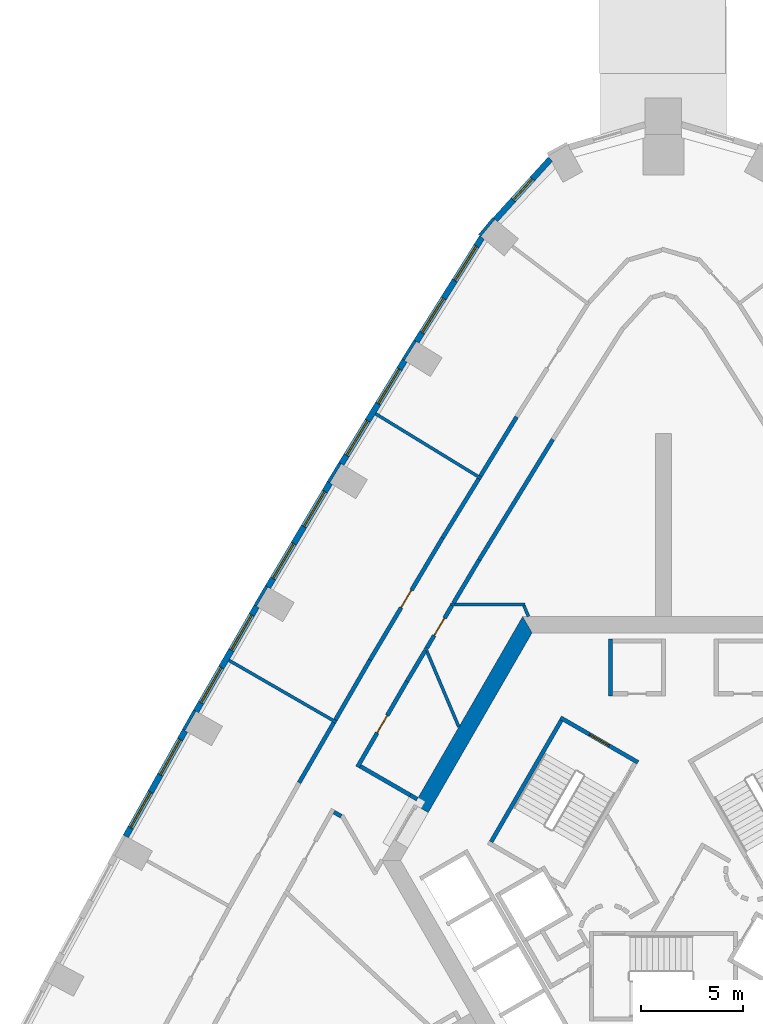
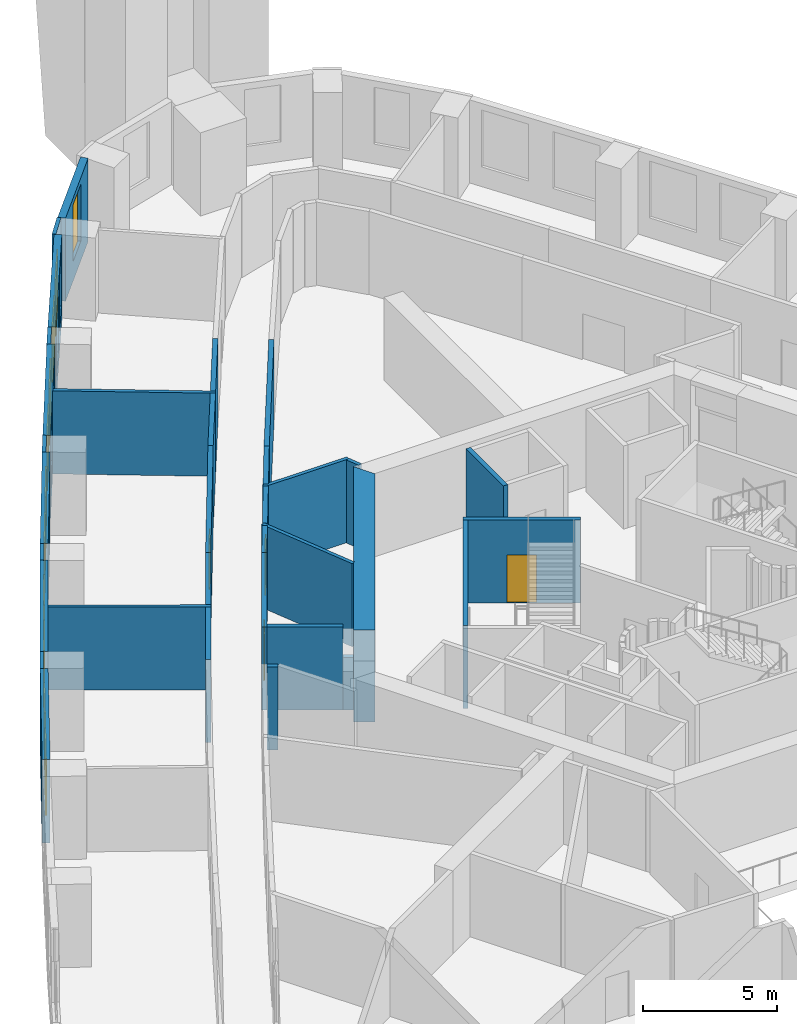
# One storey, part 8 of 14: 33 walls, 11 windows, 4 doors, 15 openings.
"""IFC4 building model written with IfcOpenShell, lengths in metres."""

from ifc_helpers import new_model, si_unit, direction, frame, frame_2d, origin, place, context, subcontext, project, spatial, polyline, rectangle, outline, extrude, material, layer, layer_set, type_object, element, fill, save


model = new_model("IFC4")

# Units and contexts
model_context = context("Model", 3, precision=1e-05, world=origin(), true_north=direction((0.0, 1.0)))
body_context = subcontext(model_context, "Body", "Model", "MODEL_VIEW")
ifc_project = project(units=[si_unit("LENGTHUNIT", "METRE"), si_unit("AREAUNIT", "SQUARE_METRE"), si_unit("VOLUMEUNIT", "CUBIC_METRE"), si_unit("PLANEANGLEUNIT", "RADIAN"), si_unit("MASSUNIT", "GRAM", prefix="KILO")], contexts=[model_context])

# Site, building, storey
site_placement = place(None, origin())
site = spatial("IfcSite", under=ifc_project, at=site_placement, CompositionType="ELEMENT")
building_placement = place(site_placement, origin())
building = spatial("IfcBuilding", under=site, at=building_placement, Name="Entoto Arch Interchange Tower", CompositionType="ELEMENT")
storey_placement = place(building_placement, frame((0.0, 0.0, 163.39990234375)))
storey = spatial("IfcBuildingStorey", under=building, at=storey_placement, Name="L36", CompositionType="ELEMENT", Elevation=163.39990234375)

# Walls
ifc_material_1 = material(Name="Concrete C50/60", Category="concrete")
ifc_layer_1 = layer(ifc_material_1, 0.800048828125)
ifc_layer_set_1 = layer_set([ifc_layer_1], Name="Concrete C50/60")
wall_type_1 = type_object("IfcWallType", Name="Core wall 800 C50/60", PredefinedType="SHEAR", material=ifc_layer_set_1)
wall_1_placement = place(storey_placement, frame((0.0, 0.0, -0.39990234375)))
element("IfcWall", 1, at=wall_1_placement, inside=storey, type_object=wall_type_1, Name="Core wall NW L36", PredefinedType="SHEAR", context=body_context, shape_type="SweptSolid", body=[
    extrude(outline(polyline([(-12.26708984375, 5.251953125), (-11.574951171875, 4.85205078125), (-6.466064453125, 13.699951171875), (-6.927978515625, 14.5), (-12.26708984375, 5.251953125)])), origin(), (0.0, 0.0, 1.0), 4.199951171875),
])
ifc_material_2 = material(Name="Gypsum board partition on steel studs", Category="steel")
ifc_layer_2 = layer(ifc_material_2, 0.14990234375)
ifc_layer_set_2 = layer_set([ifc_layer_2], Name="Gypsum board partition on steel studs")
wall_type_2 = type_object("IfcWallType", Name="PARTITION 150", PredefinedType="PARTITIONING", material=ifc_layer_set_2)
wall_2_placement = place(storey_placement, frame((-10.068115234375, 9.06201171875, 0.0), z_axis=(0.0, 0.0, 1.0), x_axis=(-0.388992587102, 0.921240884448, 0.0)))
element("IfcWall", 2, at=wall_2_placement, inside=storey, type_object=wall_type_2, Name="wall:L36:p097", PredefinedType="PARTITIONING", context=body_context, shape_type="SweptSolid", body=[
    extrude(rectangle(XDim=4.257080078125, YDim=0.14990234375, at=frame_2d((2.12841796875, 0.0))), origin(), (0.0, 0.0, 1.0), 3.800048828125),
])
wall_3_placement = place(storey_placement, frame((-6.820068359375, 15.10009765625, 0.0), z_axis=(0.0, 0.0, 1.0), x_axis=(-1.0, 0.0, 0.0)))
element("IfcWall", 3, at=wall_3_placement, inside=storey, type_object=wall_type_2, Name="wall:L36:p098", PredefinedType="PARTITIONING", context=body_context, shape_type="SweptSolid", body=[
    extrude(rectangle(XDim=3.65185546875, YDim=0.14990234375, at=frame_2d((1.825927734375, 0.0))), origin(), (0.0, 0.0, 1.0), 3.800048828125),
])
wall_4_placement = place(storey_placement, frame((-6.64111328125, 14.5, 0.0), z_axis=(0.0, 0.0, 1.0), x_axis=(-0.389930013825, 0.920844495188, 0.0)))
element("IfcWall", 4, at=wall_4_placement, inside=storey, type_object=wall_type_2, Name="wall:L36:p099", PredefinedType="PARTITIONING", context=body_context, shape_type="SweptSolid", body=[
    extrude(rectangle(XDim=0.57666015625, YDim=0.14990234375, at=frame_2d((0.288330078125, 0.0))), origin(), (0.0, 0.0, 1.0), 3.800048828125),
])
wall_5_placement = place(storey_placement, frame((-8.964111328125, 21.294921875, 0.0), z_axis=(0.0, 0.0, 1.0), x_axis=(-0.852835298101, 0.522180001832, 0.0)))
element("IfcWall", 5, at=wall_5_placement, inside=storey, type_object=wall_type_2, Name="wall:L36:p141", PredefinedType="PARTITIONING", context=body_context, shape_type="SweptSolid", body=[
    extrude(rectangle(XDim=6.099609375, YDim=0.14990234375, at=frame_2d((3.0498046875, 0.0))), origin(), (0.0, 0.0, 1.0), 3.800048828125),
])
wall_6_placement = place(storey_placement, frame((-16.097900390625, 9.294921875, 0.0), z_axis=(0.0, 0.0, 1.0), x_axis=(-0.866109615698, 0.499854112313, 0.0)))
element("IfcWall", 6, at=wall_6_placement, inside=storey, type_object=wall_type_2, Name="wall:L36:p142", PredefinedType="PARTITIONING", context=body_context, shape_type="SweptSolid", body=[
    extrude(rectangle(XDim=6.099853515625, YDim=0.14990234375, at=frame_2d((3.0498046875, 0.0))), origin(), (0.0, 0.0, 1.0), 3.800048828125),
])

# Wall, opening, door
ifc_layer_3 = layer(ifc_material_2, 0.199951171875)
ifc_layer_set_3 = layer_set([ifc_layer_3], Name="Gypsum board partition on steel studs")
wall_type_3 = type_object("IfcWallType", Name="PARTITION 200", PredefinedType="PARTITIONING", material=ifc_layer_set_3)
wall_7_placement = place(storey_placement, frame((-10.409912109375, 15.035888671875, 0.0), z_axis=(0.0, 0.0, 1.0), x_axis=(-0.510900085603, -0.859640100583, 0.0)))
wall_7 = element("IfcWall", 7, at=wall_7_placement, inside=storey, type_object=wall_type_3, Name="wall:L36:p001", PredefinedType="PARTITIONING", context=body_context, shape_type="SweptSolid", body=[
    extrude(rectangle(XDim=2.41943359375, YDim=0.199951171875, at=frame_2d((1.209716796875, 0.0))), origin(), (0.0, 0.0, 1.0), 3.800048828125),
])
opening_1_placement = place(wall_7_placement, frame((0.708984375, 0.0, 0.0)))
opening_1 = element("IfcOpeningElement", 8, at=opening_1_placement, cuts=wall_7, Name="Opening L36-D23", PredefinedType="OPENING", context=body_context, shape_type="SweptSolid", body=[
    extrude(rectangle(XDim=1.0, YDim=2.10009765625, at=frame_2d((0.5, 1.050048828125))), frame((0.0, 0.10986328125, 0.0), z_axis=(0.0, -1.0, 0.0), x_axis=(1.0, 0.0, 0.0)), (0.0, 0.0, 1.0), 0.219970703125),
])
ifc_material_3 = material(Name="Timber door leaf in Steel S235 frame", Category="steel")
door_type_1 = type_object("IfcDoorType", Name="DOOR DS-10 1000x2100", OperationType="SINGLE_SWING_LEFT", PredefinedType="DOOR", material=ifc_material_3)
door_1_placement = place(opening_1_placement, origin())
door_1 = element("IfcDoor", 9, at=door_1_placement, inside=storey, type_object=door_type_1, Name="door:L36:23", OperationType="SINGLE_SWING_LEFT", OverallHeight=2.10009765625, OverallWidth=1.0, PredefinedType="DOOR", context=body_context, shape_type="SweptSolid", body=[
    extrude(rectangle(XDim=1.0, YDim=2.10009765625, at=frame_2d((0.5, 1.050048828125))), frame((0.0, 0.02490234375, 0.0), z_axis=(0.0, -1.0, 0.0), x_axis=(1.0, 0.0, 0.0)), (0.0, 0.0, 1.0), 0.050048828125),
])
fill(opening_1, door_1)

# Wall
wall_8_placement = place(storey_placement, frame((-11.722900390625, 12.826904296875, 0.0), z_axis=(0.0, 0.0, 1.0), x_axis=(-0.511182890129, -0.859471961637, 0.0)))
element("IfcWall", 10, at=wall_8_placement, inside=storey, type_object=wall_type_3, Name="wall:L36:p002", PredefinedType="PARTITIONING", context=body_context, shape_type="SweptSolid", body=[
    extrude(rectangle(XDim=1.7685546875, YDim=0.199951171875, at=frame_2d((0.88427734375, 0.0))), origin(), (0.0, 0.0, 1.0), 3.800048828125),
])

# Wall, opening, door
wall_9_placement = place(storey_placement, frame((-12.626953125, 11.306884765625, 0.0), z_axis=(0.0, 0.0, 1.0), x_axis=(-0.499907870494, -0.866078588246, 0.0)))
wall_9 = element("IfcWall", 11, at=wall_9_placement, inside=storey, type_object=wall_type_3, Name="wall:L36:p003", PredefinedType="PARTITIONING", context=body_context, shape_type="SweptSolid", body=[
    extrude(rectangle(XDim=4.86328125, YDim=0.199951171875, at=frame_2d((2.431640625, 0.0))), origin(), (0.0, 0.0, 1.0), 3.800048828125),
])
opening_2_placement = place(wall_9_placement, frame((1.931884765625, 0.0, 0.0)))
opening_2 = element("IfcOpeningElement", 12, at=opening_2_placement, cuts=wall_9, Name="Opening L36-D24", PredefinedType="OPENING", context=body_context, shape_type="SweptSolid", body=[
    extrude(rectangle(XDim=1.0, YDim=2.10009765625, at=frame_2d((0.5, 1.050048828125))), frame((0.0, 0.10986328125, 0.0), z_axis=(0.0, -1.0, 0.0), x_axis=(1.0, 0.0, 0.0)), (0.0, 0.0, 1.0), 0.219970703125),
])
door_2_placement = place(opening_2_placement, origin())
door_2 = element("IfcDoor", 13, at=door_2_placement, inside=storey, type_object=door_type_1, Name="door:L36:24", OperationType="SINGLE_SWING_LEFT", OverallHeight=2.10009765625, OverallWidth=1.0, PredefinedType="DOOR", context=body_context, shape_type="SweptSolid", body=[
    extrude(rectangle(XDim=1.0, YDim=2.10009765625, at=frame_2d((0.5, 1.050048828125))), frame((0.0, 0.02490234375, 0.0), z_axis=(0.0, -1.0, 0.0), x_axis=(1.0, 0.0, 0.0)), (0.0, 0.0, 1.0), 0.050048828125),
])
fill(opening_2, door_2)

# Walls
wall_10_placement = place(storey_placement, frame((-14.922119140625, 7.131103515625, 0.0), z_axis=(0.0, 0.0, 1.0), x_axis=(0.866124025492, -0.499829143273, 0.0)))
element("IfcWall", 14, at=wall_10_placement, inside=storey, type_object=wall_type_3, Name="wall:L36:p004", PredefinedType="PARTITIONING", context=body_context, shape_type="SweptSolid", body=[
    extrude(rectangle(XDim=2.83935546875, YDim=0.199951171875, at=frame_2d((1.419677734375, 0.0))), origin(), (0.0, 0.0, 1.0), 3.800048828125),
])
wall_11_placement = place(storey_placement, frame((-5.44091796875, 23.218017578125, 0.0), z_axis=(0.0, 0.0, 1.0), x_axis=(-0.522108536257, -0.85287905143, 0.0)))
element("IfcWall", 15, at=wall_11_placement, inside=storey, type_object=wall_type_3, Name="wall:L36:p016", PredefinedType="PARTITIONING", context=body_context, shape_type="SweptSolid", body=[
    extrude(rectangle(XDim=6.95654296875, YDim=0.199951171875, at=frame_2d((3.478271484375, 0.0))), origin(), (0.0, 0.0, 1.0), 3.800048828125),
])
wall_12_placement = place(storey_placement, frame((-9.072998046875, 17.284912109375, 0.0), z_axis=(0.0, 0.0, 1.0), x_axis=(-0.51105761127, -0.859546460619, 0.0)))
element("IfcWall", 16, at=wall_12_placement, inside=storey, type_object=wall_type_3, Name="wall:L36:p017", PredefinedType="PARTITIONING", context=body_context, shape_type="SweptSolid", body=[
    extrude(rectangle(XDim=2.46728515625, YDim=0.199951171875, at=frame_2d((1.233642578125, 0.0))), origin(), (0.0, 0.0, 1.0), 3.800048828125),
])
wall_13_placement = place(storey_placement, frame((-15.860107421875, 4.6708984375, 0.0), z_axis=(0.0, 0.0, 1.0), x_axis=(-0.866047486323, 0.49996174997, 0.0)))
element("IfcWall", 17, at=wall_13_placement, inside=storey, type_object=wall_type_3, Name="wall:L36:p029", PredefinedType="PARTITIONING", context=body_context, shape_type="SweptSolid", body=[
    extrude(rectangle(XDim=0.412109375, YDim=0.199951171875, at=frame_2d((0.2060546875, 0.0))), origin(), (0.0, 0.0, 1.0), 3.800048828125),
])
wall_14_placement = place(storey_placement, frame((-9.010009765625, 21.410888671875, 0.0), z_axis=(0.0, 0.0, 1.0), x_axis=(0.52198736623, 0.852953216476, 0.0)))
element("IfcWall", 18, at=wall_14_placement, inside=storey, type_object=wall_type_3, Name="wall:L36:p063", PredefinedType="PARTITIONING", context=body_context, shape_type="SweptSolid", body=[
    extrude(rectangle(XDim=3.41748046875, YDim=0.199951171875, at=frame_2d((1.708740234375, 0.0))), origin(), (0.0, 0.0, 1.0), 3.800048828125),
])
wall_15_placement = place(storey_placement, frame((-16.14697265625, 9.409912109375, 0.0), z_axis=(0.0, 0.0, 1.0), x_axis=(0.500044178772, 0.865999895656, 0.0)))
element("IfcWall", 19, at=wall_15_placement, inside=storey, type_object=wall_type_3, Name="wall:L36:p065", PredefinedType="PARTITIONING", context=body_context, shape_type="SweptSolid", body=[
    extrude(rectangle(XDim=3.415771484375, YDim=0.199951171875, at=frame_2d((1.7080078125, 0.0))), origin(), (0.0, 0.0, 1.0), 3.800048828125),
])

# Wall, opening, door
wall_16_placement = place(storey_placement, frame((-14.43896484375, 12.367919921875, 0.0), z_axis=(0.0, 0.0, 1.0), x_axis=(0.51096926939, 0.859598979606, 0.0)))
wall_16 = element("IfcWall", 20, at=wall_16_placement, inside=storey, type_object=wall_type_3, Name="wall:L36:p066", PredefinedType="PARTITIONING", context=body_context, shape_type="SweptSolid", body=[
    extrude(rectangle(XDim=6.982666015625, YDim=0.199951171875, at=frame_2d((3.4912109375, 0.0))), origin(), (0.0, 0.0, 1.0), 3.800048828125),
])
opening_3_placement = place(wall_16_placement, frame((2.990966796875, 0.0, 0.0)))
opening_3 = element("IfcOpeningElement", 21, at=opening_3_placement, cuts=wall_16, Name="Opening L36-D09", PredefinedType="OPENING", context=body_context, shape_type="SweptSolid", body=[
    extrude(rectangle(XDim=1.0, YDim=2.10009765625, at=frame_2d((0.5, 1.050048828125))), frame((0.0, 0.10986328125, 0.0), z_axis=(0.0, -1.0, 0.0), x_axis=(1.0, 0.0, 0.0)), (0.0, 0.0, 1.0), 0.219970703125),
])
door_3_placement = place(opening_3_placement, origin())
door_3 = element("IfcDoor", 22, at=door_3_placement, inside=storey, type_object=door_type_1, Name="door:L36:09", OperationType="SINGLE_SWING_LEFT", OverallHeight=2.10009765625, OverallWidth=1.0, PredefinedType="DOOR", context=body_context, shape_type="SweptSolid", body=[
    extrude(rectangle(XDim=1.0, YDim=2.10009765625, at=frame_2d((0.5, 1.050048828125))), frame((0.0, 0.02490234375, 0.0), z_axis=(0.0, -1.0, 0.0), x_axis=(1.0, 0.0, 0.0)), (0.0, 0.0, 1.0), 0.050048828125),
])
fill(opening_3, door_3)

# Walls
wall_17_placement = place(storey_placement, frame((-10.87109375, 18.3701171875, 0.0), z_axis=(0.0, 0.0, 1.0), x_axis=(0.522117781608, 0.852873391617, 0.0)))
element("IfcWall", 23, at=wall_17_placement, inside=storey, type_object=wall_type_3, Name="wall:L36:p067", PredefinedType="PARTITIONING", context=body_context, shape_type="SweptSolid", body=[
    extrude(rectangle(XDim=3.415283203125, YDim=0.199951171875, at=frame_2d((1.70751953125, 0.0))), origin(), (0.0, 0.0, 1.0), 3.800048828125),
])
wall_18_placement = place(storey_placement, frame((-17.929931640625, 6.321044921875, 0.0), z_axis=(0.0, 0.0, 1.0), x_axis=(0.499920397431, 0.866071357471, 0.0)))
element("IfcWall", 24, at=wall_18_placement, inside=storey, type_object=wall_type_3, Name="wall:L36:p069", PredefinedType="PARTITIONING", context=body_context, shape_type="SweptSolid", body=[
    extrude(rectangle(XDim=3.41650390625, YDim=0.199951171875, at=frame_2d((1.708251953125, 0.0))), origin(), (0.0, 0.0, 1.0), 3.800048828125),
])
wall_19_placement = place(storey_placement, frame((-2.60009765625, 10.60009765625, 0.0), z_axis=(0.0, 0.0, 1.0), x_axis=(0.0, 1.0, 0.0)))
element("IfcWall", 25, at=wall_19_placement, inside=storey, type_object=wall_type_3, Name="wall:L36:p084", PredefinedType="PARTITIONING", context=body_context, shape_type="SweptSolid", body=[
    extrude(rectangle(XDim=2.7998046875, YDim=0.199951171875, at=frame_2d((1.39990234375, 0.0))), origin(), (0.0, 0.0, 1.0), 3.800048828125),
])
wall_20_placement = place(storey_placement, frame((-12.462890625, 5.7119140625, 0.0), z_axis=(0.0, 0.0, 1.0), x_axis=(0.865788603161, -0.500409926597, 0.0)))
element("IfcWall", 26, at=wall_20_placement, inside=storey, type_object=wall_type_3, Name="wall:L36:p004", PredefinedType="PARTITIONING", context=body_context, shape_type="SweptSolid", body=[
    extrude(rectangle(XDim=0.399658203125, YDim=0.199951171875, at=frame_2d((0.19970703125, 0.0))), origin(), (0.0, 0.0, 1.0), 2.400146484375),
])

# Wall, opening, door
ifc_material_4 = material(Name="Concrete C40/50", Category="concrete")
ifc_layer_4 = layer(ifc_material_4, 0.199951171875)
ifc_layer_set_4 = layer_set([ifc_layer_4], Name="Concrete C40/50")
wall_type_4 = type_object("IfcWallType", Name="STAIR ENCLOSURE WALL 200", PredefinedType="STANDARD", material=ifc_layer_set_4)
wall_21_placement = place(storey_placement, frame((-1.256103515625, 7.323974609375, 0.0), z_axis=(0.0, 0.0, 1.0), x_axis=(-0.866046073146, 0.499964197906, 0.0)))
wall_21 = element("IfcWall", 27, at=wall_21_placement, inside=storey, type_object=wall_type_4, Name="Stair wall ST-NW near", PredefinedType="STANDARD", context=body_context, shape_type="SweptSolid", body=[
    extrude(rectangle(XDim=4.400146484375, YDim=0.199951171875, at=frame_2d((2.2001953125, 0.0))), origin(), (0.0, 0.0, 1.0), 3.800048828125),
])
opening_4_placement = place(wall_21_placement, frame((1.64990234375, 0.0, 0.0)))
opening_4 = element("IfcOpeningElement", 28, at=opening_4_placement, cuts=wall_21, Name="Opening SD-ST-NW-L36-E", PredefinedType="OPENING", context=body_context, shape_type="SweptSolid", body=[
    extrude(rectangle(XDim=1.10009765625, YDim=2.199951171875, at=frame_2d((0.550048828125, 1.10009765625))), frame((0.0, 0.10986328125, 0.0), z_axis=(0.0, -1.0, 0.0), x_axis=(1.0, 0.0, 0.0)), (0.0, 0.0, 1.0), 0.219970703125),
])
ifc_material_5 = material(Name="Steel S235", Category="steel")
door_type_2 = type_object("IfcDoorType", Name="STAIR DOOR SD1 1100x2200", OperationType="SINGLE_SWING_LEFT", PredefinedType="DOOR", material=ifc_material_5)
door_4_placement = place(opening_4_placement, origin())
door_4 = element("IfcDoor", 29, at=door_4_placement, inside=storey, type_object=door_type_2, Name="Stair door ST-NW L36 end", OperationType="SINGLE_SWING_LEFT", OverallHeight=2.199951171875, OverallWidth=1.10009765625, PredefinedType="DOOR", context=body_context, shape_type="SweptSolid", body=[
    extrude(rectangle(XDim=1.10009765625, YDim=2.199951171875, at=frame_2d((0.550048828125, 1.10009765625))), frame((0.0, 0.02490234375, 0.0), z_axis=(0.0, -1.0, 0.0), x_axis=(1.0, 0.0, 0.0)), (0.0, 0.0, 1.0), 0.050048828125),
])
fill(opening_4, door_4)

# Wall
wall_22_placement = place(storey_placement, frame((-5.030029296875, 9.387939453125, 0.0), z_axis=(0.0, 0.0, 1.0), x_axis=(-0.499978703459, -0.866037698999, 0.0)))
element("IfcWall", 30, at=wall_22_placement, inside=storey, type_object=wall_type_4, Name="Stair wall ST-NW back", PredefinedType="STANDARD", context=body_context, shape_type="SweptSolid", body=[
    extrude(rectangle(XDim=6.900146484375, YDim=0.199951171875, at=frame_2d((3.4501953125, 0.0))), origin(), (0.0, 0.0, 1.0), 3.800048828125),
])

# Wall, opening, window
ifc_material_6 = material(Name="Welded tuff (ignimbrite) cladding, warm buff", Category="masonry")
ifc_layer_5 = layer(ifc_material_6, 0.300048828125)
ifc_layer_set_5 = layer_set([ifc_layer_5], Name="Welded tuff (ignimbrite) cladding, warm buff")
wall_type_5 = type_object("IfcWallType", Name="STONE INFILL WALL 300", PredefinedType="STANDARD", material=ifc_layer_set_5)
wall_23_placement = place(storey_placement, frame((-5.568115234375, 37.010009765625, 0.0), z_axis=(0.0, 0.0, 1.0), x_axis=(-0.672034341329, -0.740519982225, 0.0)))
wall_23 = element("IfcWall", 31, at=wall_23_placement, inside=storey, type_object=wall_type_5, Name="Facade wall N-04 L36", PredefinedType="STANDARD", context=body_context, shape_type="SweptSolid", body=[
    extrude(rectangle(XDim=4.017578125, YDim=0.300048828125, at=frame_2d((2.0087890625, 0.0))), origin(), (0.0, 0.0, 1.0), 3.800048828125),
])
opening_5_placement = place(wall_23_placement, frame((1.30908203125, 0.0, 0.89990234375)))
opening_5 = element("IfcOpeningElement", 32, at=opening_5_placement, cuts=wall_23, Name="Opening WO-B", PredefinedType="OPENING", context=body_context, shape_type="SweptSolid", body=[
    extrude(rectangle(XDim=1.39990234375, YDim=2.60009765625, at=frame_2d((0.699951171875, 1.300048828125))), frame((0.0, 0.16015625, 0.0), z_axis=(0.0, -1.0, 0.0), x_axis=(1.0, 0.0, 0.0)), (0.0, 0.0, 1.0), 0.320068359375),
])
ifc_material_7 = material(Name="Clear glass, low-e double glazed", Category="glass")
window_type_1 = type_object("IfcWindowType", Name="WINDOW WO-B 1400x2600", PartitioningType="DOUBLE_PANEL_VERTICAL", PredefinedType="WINDOW", material=ifc_material_7)
window_1_placement = place(opening_5_placement, origin())
window_1 = element("IfcWindow", 33, at=window_1_placement, inside=storey, type_object=window_type_1, Name="Window WO-B N-04 L36", OverallHeight=2.60009765625, OverallWidth=1.39990234375, PartitioningType="SINGLE_PANEL", PredefinedType="WINDOW", context=body_context, shape_type="SweptSolid", body=[
    extrude(rectangle(XDim=1.39990234375, YDim=2.60009765625, at=frame_2d((0.699951171875, 1.300048828125))), frame((0.0, 0.030029296875, 0.0), z_axis=(0.0, -1.0, 0.0), x_axis=(1.0, 0.0, 0.0)), (0.0, 0.0, 1.0), 0.06005859375),
])
fill(opening_5, window_1)

# Wall, openings, windows
wall_24_placement = place(storey_placement, frame((-8.931884765625, 33.158935546875, 0.0), z_axis=(0.0, 0.0, 1.0), x_axis=(-0.532721310512, -0.846290733334, 0.0)))
wall_24 = element("IfcWall", 34, at=wall_24_placement, inside=storey, type_object=wall_type_5, Name="Facade wall NW-01 L36", PredefinedType="STANDARD", context=body_context, shape_type="SweptSolid", body=[
    extrude(rectangle(XDim=6.055908203125, YDim=0.300048828125, at=frame_2d((3.02783203125, 0.0))), origin(), (0.0, 0.0, 1.0), 3.800048828125),
])
opening_6_placement = place(wall_24_placement, frame((0.513916015625, 0.0, 0.89990234375)))
opening_6 = element("IfcOpeningElement", 35, at=opening_6_placement, cuts=wall_24, Name="Opening WO-C", PredefinedType="OPENING", context=body_context, shape_type="SweptSolid", body=[
    extrude(rectangle(XDim=2.0, YDim=2.60009765625, at=frame_2d((1.0, 1.300048828125))), frame((0.0, 0.16015625, 0.0), z_axis=(0.0, -1.0, 0.0), x_axis=(1.0, 0.0, 0.0)), (0.0, 0.0, 1.0), 0.320068359375),
])
opening_7_placement = place(wall_24_placement, frame((3.5419921875, 0.0, 0.89990234375)))
opening_7 = element("IfcOpeningElement", 36, at=opening_7_placement, cuts=wall_24, Name="Opening WO-C", PredefinedType="OPENING", context=body_context, shape_type="SweptSolid", body=[
    extrude(rectangle(XDim=2.0, YDim=2.60009765625, at=frame_2d((1.0, 1.300048828125))), frame((0.0, 0.16015625, 0.0), z_axis=(0.0, -1.0, 0.0), x_axis=(1.0, 0.0, 0.0)), (0.0, 0.0, 1.0), 0.320068359375),
])
window_type_2 = type_object("IfcWindowType", Name="WINDOW WO-C 2000x2600", PartitioningType="DOUBLE_PANEL_VERTICAL", PredefinedType="WINDOW", material=ifc_material_7)
window_2_placement = place(opening_6_placement, origin())
window_2 = element("IfcWindow", 37, at=window_2_placement, inside=storey, type_object=window_type_2, Name="Window WO-C NW-01 L36", OverallHeight=2.60009765625, OverallWidth=2.0, PartitioningType="SINGLE_PANEL", PredefinedType="WINDOW", context=body_context, shape_type="SweptSolid", body=[
    extrude(rectangle(XDim=2.0, YDim=2.60009765625, at=frame_2d((1.0, 1.300048828125))), frame((0.0, 0.030029296875, 0.0), z_axis=(0.0, -1.0, 0.0), x_axis=(1.0, 0.0, 0.0)), (0.0, 0.0, 1.0), 0.06005859375),
])
fill(opening_6, window_2)
window_3_placement = place(opening_7_placement, origin())
window_3 = element("IfcWindow", 38, at=window_3_placement, inside=storey, type_object=window_type_2, Name="Window WO-C NW-01 L36", OverallHeight=2.60009765625, OverallWidth=2.0, PartitioningType="SINGLE_PANEL", PredefinedType="WINDOW", context=body_context, shape_type="SweptSolid", body=[
    extrude(rectangle(XDim=2.0, YDim=2.60009765625, at=frame_2d((1.0, 1.300048828125))), frame((0.0, 0.030029296875, 0.0), z_axis=(0.0, -1.0, 0.0), x_axis=(1.0, 0.0, 0.0)), (0.0, 0.0, 1.0), 0.06005859375),
])
fill(opening_7, window_3)

wall_25_placement = place(storey_placement, frame((-12.737060546875, 27.10107421875, 0.0), z_axis=(0.0, 0.0, 1.0), x_axis=(-0.522156898008, -0.852849443842, 0.0)))
wall_25 = element("IfcWall", 39, at=wall_25_placement, inside=storey, type_object=wall_type_5, Name="Facade wall NW-02 L36", PredefinedType="STANDARD", context=body_context, shape_type="SweptSolid", body=[
    extrude(rectangle(XDim=5.9638671875, YDim=0.300048828125, at=frame_2d((2.98193359375, 0.0))), origin(), (0.0, 0.0, 1.0), 3.800048828125),
])
opening_8_placement = place(wall_25_placement, frame((0.490966796875, 0.0, 0.89990234375)))
opening_8 = element("IfcOpeningElement", 40, at=opening_8_placement, cuts=wall_25, Name="Opening WO-C", PredefinedType="OPENING", context=body_context, shape_type="SweptSolid", body=[
    extrude(rectangle(XDim=2.0, YDim=2.60009765625, at=frame_2d((1.0, 1.300048828125))), frame((0.0, 0.16015625, 0.0), z_axis=(0.0, -1.0, 0.0), x_axis=(1.0, 0.0, 0.0)), (0.0, 0.0, 1.0), 0.320068359375),
])
opening_9_placement = place(wall_25_placement, frame((3.472900390625, 0.0, 0.89990234375)))
opening_9 = element("IfcOpeningElement", 41, at=opening_9_placement, cuts=wall_25, Name="Opening WO-C", PredefinedType="OPENING", context=body_context, shape_type="SweptSolid", body=[
    extrude(rectangle(XDim=2.0, YDim=2.60009765625, at=frame_2d((1.0, 1.300048828125))), frame((0.0, 0.16015625, 0.0), z_axis=(0.0, -1.0, 0.0), x_axis=(1.0, 0.0, 0.0)), (0.0, 0.0, 1.0), 0.320068359375),
])
window_4_placement = place(opening_8_placement, origin())
window_4 = element("IfcWindow", 42, at=window_4_placement, inside=storey, type_object=window_type_2, Name="Window WO-C NW-02 L36", OverallHeight=2.60009765625, OverallWidth=2.0, PartitioningType="SINGLE_PANEL", PredefinedType="WINDOW", context=body_context, shape_type="SweptSolid", body=[
    extrude(rectangle(XDim=2.0, YDim=2.60009765625, at=frame_2d((1.0, 1.300048828125))), frame((0.0, 0.030029296875, 0.0), z_axis=(0.0, -1.0, 0.0), x_axis=(1.0, 0.0, 0.0)), (0.0, 0.0, 1.0), 0.06005859375),
])
fill(opening_8, window_4)
window_5_placement = place(opening_9_placement, origin())
window_5 = element("IfcWindow", 43, at=window_5_placement, inside=storey, type_object=window_type_2, Name="Window WO-C NW-02 L36", OverallHeight=2.60009765625, OverallWidth=2.0, PartitioningType="SINGLE_PANEL", PredefinedType="WINDOW", context=body_context, shape_type="SweptSolid", body=[
    extrude(rectangle(XDim=2.0, YDim=2.60009765625, at=frame_2d((1.0, 1.300048828125))), frame((0.0, 0.030029296875, 0.0), z_axis=(0.0, -1.0, 0.0), x_axis=(1.0, 0.0, 0.0)), (0.0, 0.0, 1.0), 0.06005859375),
])
fill(opening_9, window_5)

wall_26_placement = place(storey_placement, frame((-16.41796875, 21.073974609375, 0.0), z_axis=(0.0, 0.0, 1.0), x_axis=(-0.511053317394, -0.8595490136, 0.0)))
wall_26 = element("IfcWall", 44, at=wall_26_placement, inside=storey, type_object=wall_type_5, Name="Facade wall NW-03 L36", PredefinedType="STANDARD", context=body_context, shape_type="SweptSolid", body=[
    extrude(rectangle(XDim=5.96240234375, YDim=0.300048828125, at=frame_2d((2.981201171875, 0.0))), origin(), (0.0, 0.0, 1.0), 3.800048828125),
])
opening_10_placement = place(wall_26_placement, frame((0.490966796875, 0.0, 0.89990234375)))
opening_10 = element("IfcOpeningElement", 45, at=opening_10_placement, cuts=wall_26, Name="Opening WO-C", PredefinedType="OPENING", context=body_context, shape_type="SweptSolid", body=[
    extrude(rectangle(XDim=2.0, YDim=2.60009765625, at=frame_2d((1.0, 1.300048828125))), frame((0.0, 0.16015625, 0.0), z_axis=(0.0, -1.0, 0.0), x_axis=(1.0, 0.0, 0.0)), (0.0, 0.0, 1.0), 0.320068359375),
])
opening_11_placement = place(wall_26_placement, frame((3.471923828125, 0.0, 0.89990234375)))
opening_11 = element("IfcOpeningElement", 46, at=opening_11_placement, cuts=wall_26, Name="Opening WO-C", PredefinedType="OPENING", context=body_context, shape_type="SweptSolid", body=[
    extrude(rectangle(XDim=2.0, YDim=2.60009765625, at=frame_2d((1.0, 1.300048828125))), frame((0.0, 0.16015625, 0.0), z_axis=(0.0, -1.0, 0.0), x_axis=(1.0, 0.0, 0.0)), (0.0, 0.0, 1.0), 0.320068359375),
])
window_6_placement = place(opening_10_placement, origin())
window_6 = element("IfcWindow", 47, at=window_6_placement, inside=storey, type_object=window_type_2, Name="Window WO-C NW-03 L36", OverallHeight=2.60009765625, OverallWidth=2.0, PartitioningType="SINGLE_PANEL", PredefinedType="WINDOW", context=body_context, shape_type="SweptSolid", body=[
    extrude(rectangle(XDim=2.0, YDim=2.60009765625, at=frame_2d((1.0, 1.300048828125))), frame((0.0, 0.030029296875, 0.0), z_axis=(0.0, -1.0, 0.0), x_axis=(1.0, 0.0, 0.0)), (0.0, 0.0, 1.0), 0.06005859375),
])
fill(opening_10, window_6)
window_7_placement = place(opening_11_placement, origin())
window_7 = element("IfcWindow", 48, at=window_7_placement, inside=storey, type_object=window_type_2, Name="Window WO-C NW-03 L36", OverallHeight=2.60009765625, OverallWidth=2.0, PartitioningType="SINGLE_PANEL", PredefinedType="WINDOW", context=body_context, shape_type="SweptSolid", body=[
    extrude(rectangle(XDim=2.0, YDim=2.60009765625, at=frame_2d((1.0, 1.300048828125))), frame((0.0, 0.030029296875, 0.0), z_axis=(0.0, -1.0, 0.0), x_axis=(1.0, 0.0, 0.0)), (0.0, 0.0, 1.0), 0.06005859375),
])
fill(opening_11, window_7)

wall_27_placement = place(storey_placement, frame((-20.02001953125, 15.001953125, 0.0), z_axis=(0.0, 0.0, 1.0), x_axis=(-0.49986421087, -0.866103787482, 0.0)))
wall_27 = element("IfcWall", 49, at=wall_27_placement, inside=storey, type_object=wall_type_5, Name="Facade wall NW-04 L36", PredefinedType="STANDARD", context=body_context, shape_type="SweptSolid", body=[
    extrude(rectangle(XDim=5.963623046875, YDim=0.300048828125, at=frame_2d((2.98193359375, 0.0))), origin(), (0.0, 0.0, 1.0), 3.800048828125),
])
opening_12_placement = place(wall_27_placement, frame((0.490966796875, 0.0, 0.89990234375)))
opening_12 = element("IfcOpeningElement", 50, at=opening_12_placement, cuts=wall_27, Name="Opening WO-C", PredefinedType="OPENING", context=body_context, shape_type="SweptSolid", body=[
    extrude(rectangle(XDim=2.0, YDim=2.60009765625, at=frame_2d((1.0, 1.300048828125))), frame((0.0, 0.16015625, 0.0), z_axis=(0.0, -1.0, 0.0), x_axis=(1.0, 0.0, 0.0)), (0.0, 0.0, 1.0), 0.320068359375),
])
opening_13_placement = place(wall_27_placement, frame((3.472900390625, 0.0, 0.89990234375)))
opening_13 = element("IfcOpeningElement", 51, at=opening_13_placement, cuts=wall_27, Name="Opening WO-C", PredefinedType="OPENING", context=body_context, shape_type="SweptSolid", body=[
    extrude(rectangle(XDim=2.0, YDim=2.60009765625, at=frame_2d((1.0, 1.300048828125))), frame((0.0, 0.16015625, 0.0), z_axis=(0.0, -1.0, 0.0), x_axis=(1.0, 0.0, 0.0)), (0.0, 0.0, 1.0), 0.320068359375),
])
window_8_placement = place(opening_12_placement, origin())
window_8 = element("IfcWindow", 52, at=window_8_placement, inside=storey, type_object=window_type_2, Name="Window WO-C NW-04 L36", OverallHeight=2.60009765625, OverallWidth=2.0, PartitioningType="SINGLE_PANEL", PredefinedType="WINDOW", context=body_context, shape_type="SweptSolid", body=[
    extrude(rectangle(XDim=2.0, YDim=2.60009765625, at=frame_2d((1.0, 1.300048828125))), frame((0.0, 0.030029296875, 0.0), z_axis=(0.0, -1.0, 0.0), x_axis=(1.0, 0.0, 0.0)), (0.0, 0.0, 1.0), 0.06005859375),
])
fill(opening_12, window_8)
window_9_placement = place(opening_13_placement, origin())
window_9 = element("IfcWindow", 53, at=window_9_placement, inside=storey, type_object=window_type_2, Name="Window WO-C NW-04 L36", OverallHeight=2.60009765625, OverallWidth=2.0, PartitioningType="SINGLE_PANEL", PredefinedType="WINDOW", context=body_context, shape_type="SweptSolid", body=[
    extrude(rectangle(XDim=2.0, YDim=2.60009765625, at=frame_2d((1.0, 1.300048828125))), frame((0.0, 0.030029296875, 0.0), z_axis=(0.0, -1.0, 0.0), x_axis=(1.0, 0.0, 0.0)), (0.0, 0.0, 1.0), 0.06005859375),
])
fill(opening_13, window_9)

wall_28_placement = place(storey_placement, frame((-23.5439453125, 8.883056640625, 0.0), z_axis=(0.0, 0.0, 1.0), x_axis=(-0.489032196971, -0.87226573378, 0.0)))
wall_28 = element("IfcWall", 54, at=wall_28_placement, inside=storey, type_object=wall_type_5, Name="Facade wall NW-05 L36", PredefinedType="STANDARD", context=body_context, shape_type="SweptSolid", body=[
    extrude(rectangle(XDim=5.962890625, YDim=0.300048828125, at=frame_2d((2.9814453125, 0.0))), origin(), (0.0, 0.0, 1.0), 3.800048828125),
])
opening_14_placement = place(wall_28_placement, frame((0.490966796875, 0.0, 0.89990234375)))
opening_14 = element("IfcOpeningElement", 55, at=opening_14_placement, cuts=wall_28, Name="Opening WO-C", PredefinedType="OPENING", context=body_context, shape_type="SweptSolid", body=[
    extrude(rectangle(XDim=2.0, YDim=2.60009765625, at=frame_2d((1.0, 1.300048828125))), frame((0.0, 0.16015625, 0.0), z_axis=(0.0, -1.0, 0.0), x_axis=(1.0, 0.0, 0.0)), (0.0, 0.0, 1.0), 0.320068359375),
])
opening_15_placement = place(wall_28_placement, frame((3.471923828125, 0.0, 0.89990234375)))
opening_15 = element("IfcOpeningElement", 56, at=opening_15_placement, cuts=wall_28, Name="Opening WO-C", PredefinedType="OPENING", context=body_context, shape_type="SweptSolid", body=[
    extrude(rectangle(XDim=2.0, YDim=2.60009765625, at=frame_2d((1.0, 1.300048828125))), frame((0.0, 0.16015625, 0.0), z_axis=(0.0, -1.0, 0.0), x_axis=(1.0, 0.0, 0.0)), (0.0, 0.0, 1.0), 0.320068359375),
])
window_10_placement = place(opening_14_placement, origin())
window_10 = element("IfcWindow", 57, at=window_10_placement, inside=storey, type_object=window_type_2, Name="Window WO-C NW-05 L36", OverallHeight=2.60009765625, OverallWidth=2.0, PartitioningType="SINGLE_PANEL", PredefinedType="WINDOW", context=body_context, shape_type="SweptSolid", body=[
    extrude(rectangle(XDim=2.0, YDim=2.60009765625, at=frame_2d((1.0, 1.300048828125))), frame((0.0, 0.030029296875, 0.0), z_axis=(0.0, -1.0, 0.0), x_axis=(1.0, 0.0, 0.0)), (0.0, 0.0, 1.0), 0.06005859375),
])
fill(opening_14, window_10)
window_11_placement = place(opening_15_placement, origin())
window_11 = element("IfcWindow", 58, at=window_11_placement, inside=storey, type_object=window_type_2, Name="Window WO-C NW-05 L36", OverallHeight=2.60009765625, OverallWidth=2.0, PartitioningType="SINGLE_PANEL", PredefinedType="WINDOW", context=body_context, shape_type="SweptSolid", body=[
    extrude(rectangle(XDim=2.0, YDim=2.60009765625, at=frame_2d((1.0, 1.300048828125))), frame((0.0, 0.030029296875, 0.0), z_axis=(0.0, -1.0, 0.0), x_axis=(1.0, 0.0, 0.0)), (0.0, 0.0, 1.0), 0.06005859375),
])
fill(opening_15, window_11)

# Walls
ifc_layer_6 = layer(ifc_material_6, 0.14990234375)
ifc_layer_set_6 = layer_set([ifc_layer_6], Name="Welded tuff (ignimbrite) cladding, warm buff")
wall_type_6 = type_object("IfcWallType", Name="STONE PIER CLADDING 150", PredefinedType="STANDARD", material=ifc_layer_set_6)
for number, where, z_axis, x_axis, name in (
    (59, (-8.343994140625, 34.09912109375, 0.0), (0.0, 0.0, 1.0), (-0.639092407347, -0.769129959676, 0.0), "Stone pier NW01 L36"),
    (60, (-12.222900390625, 28.075927734375, 0.0), (0.0, 0.0, 1.0), (-0.52997899071, -0.848010771987, 0.0), "Stone pier NW02 L36"),
    (61, (-15.9169921875, 22.055908203125, 0.0), (0.0, 0.0, 1.0), (-0.518178754102, -0.855272341888, 0.0), "Stone pier NW03 L36"),
):
    element("IfcWall", number, at=place(storey_placement, frame(where, z_axis=z_axis, x_axis=x_axis)), inside=storey, type_object=wall_type_6, Name=name, PredefinedType="STANDARD", context=body_context, shape_type="SweptSolid", body=[
        extrude(rectangle(XDim=1.10009765625, YDim=0.14990234375, at=frame_2d((0.550048828125, 0.0))), origin(), (0.0, 0.0, 1.0), 3.800048828125),
    ])
wall_29_placement = place(storey_placement, frame((-19.531982421875, 15.989013671875, 0.0), z_axis=(0.0, 0.0, 1.0), x_axis=(-0.50667077411, -0.862139621327, 0.0)))
element("IfcWall", 62, at=wall_29_placement, inside=storey, type_object=wall_type_6, Name="Stone pier NW04 L36", PredefinedType="STANDARD", context=body_context, shape_type="SweptSolid", body=[
    extrude(rectangle(XDim=1.099609375, YDim=0.14990234375, at=frame_2d((0.5498046875, 0.0))), origin(), (0.0, 0.0, 1.0), 3.800048828125),
])
wall_30_placement = place(storey_placement, frame((-23.069091796875, 9.876953125, 0.0), z_axis=(0.0, 0.0, 1.0), x_axis=(-0.494512685492, -0.869170411305, 0.0)))
element("IfcWall", 63, at=wall_30_placement, inside=storey, type_object=wall_type_6, Name="Stone pier NW05 L36", PredefinedType="STANDARD", context=body_context, shape_type="SweptSolid", body=[
    extrude(rectangle(XDim=1.099853515625, YDim=0.14990234375, at=frame_2d((0.5498046875, 0.0))), origin(), (0.0, 0.0, 1.0), 3.800048828125),
])

save(model, "model.ifc")
